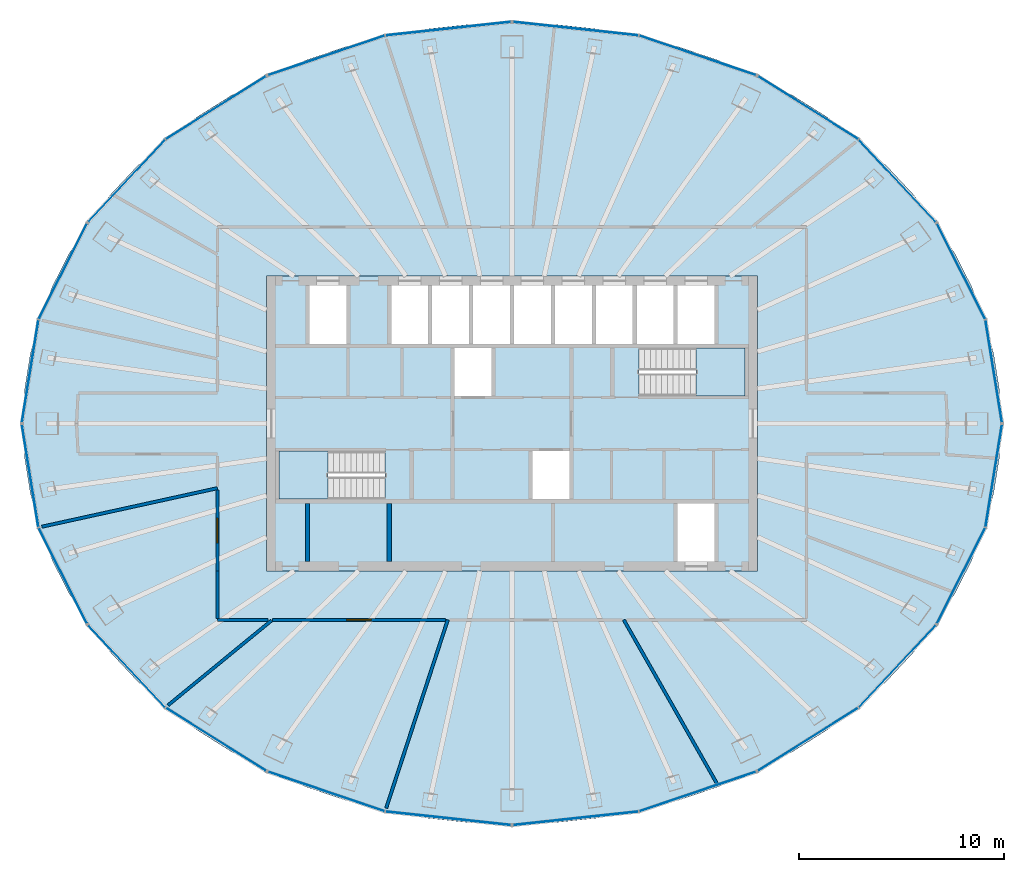
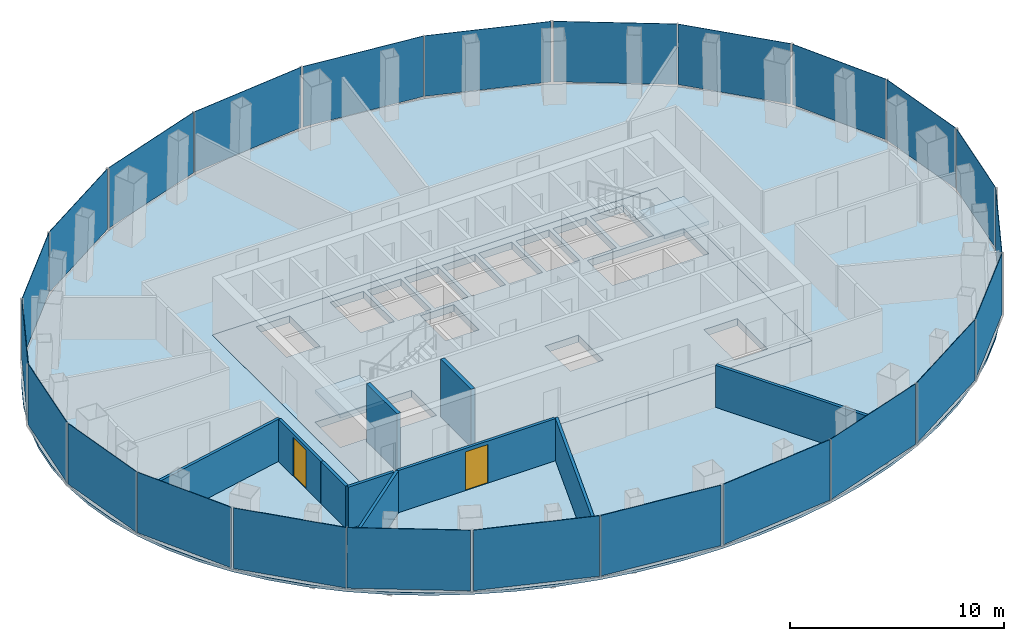
# One storey, part 6 of 10: 24 plates, 10 walls, 4 slabs, 2 doors, 2 openings, 14 elements without a shape of their own.
"""IFC4 building model written with IfcOpenShell, lengths in metres."""

from ifc_helpers import new_model, si_unit, direction, frame, frame_2d, origin, origin_2d, place, context, subcontext, project, spatial, polyline, rectangle, outline, extrude, material, layer, layer_set, type_object, element, fill, aggregate, save


model = new_model("IFC4")

# Units and contexts
model_context = context("Model", 3, precision=1e-05, world=origin(), true_north=direction((0.0, 1.0)))
body_context = subcontext(model_context, "Body", "Model", "MODEL_VIEW")
ifc_project = project(units=[si_unit("LENGTHUNIT", "METRE"), si_unit("AREAUNIT", "SQUARE_METRE"), si_unit("VOLUMEUNIT", "CUBIC_METRE"), si_unit("PLANEANGLEUNIT", "RADIAN"), si_unit("MASSUNIT", "GRAM", prefix="KILO")], contexts=[model_context])

# Site, building, storey
site_placement = place(None, origin())
site = spatial("IfcSite", under=ifc_project, at=site_placement, CompositionType="ELEMENT")
building_placement = place(site_placement, origin())
building = spatial("IfcBuilding", under=site, at=building_placement, Name="Siaravel Broadcast Tower", CompositionType="ELEMENT")
storey_placement = place(building_placement, frame((0.0, 0.0, 164.5)))
storey = spatial("IfcBuildingStorey", under=building, at=storey_placement, Name="L39", CompositionType="ELEMENT", Elevation=164.5)

# Curtain wall, plates
ifc_material_1 = material(Name="Aluminium 6063-T6", Category="aluminium")
ifc_layer_1 = layer(ifc_material_1, 0.179931640625)
ifc_layer_set_1 = layer_set([ifc_layer_1], Name="Aluminium 6063-T6")
curtain_wall_type = type_object("IfcCurtainWallType", Name="Unitised curtain wall, zone 3", PredefinedType="NOTDEFINED", material=ifc_layer_set_1)
curtain_wall_1_placement = place(storey_placement, origin())
curtain_wall_1 = element("IfcCurtainWall", 1, at=curtain_wall_1_placement, inside=storey, type_object=curtain_wall_type, Name="L39 Unitised curtain wall, zone 3 01", PredefinedType="NOTDEFINED")
ifc_material_2 = material(Name="Tinted insulated glass", Category="glass")
ifc_layer_2 = layer(ifc_material_2, 0.028076171875)
ifc_layer_set_2 = layer_set([ifc_layer_2], Name="Tinted insulated glass")
plate_type = type_object("IfcPlateType", Name="CW-Z3 glass panel", PredefinedType="CURTAIN_PANEL", material=ifc_layer_set_2)
plate_1_placement = place(storey_placement, frame((23.5517578125, 2.557373046875, 0.10009765625), z_axis=(0.0, 0.0, 1.0), x_axis=(-0.158685063, 0.987329251, 0.0)))
plate_1 = element("IfcPlate", 2, at=plate_1_placement, type_object=plate_type, Name="CW-Z3 glass panel", PredefinedType="CURTAIN_PANEL", context=body_context, shape_type="SweptSolid", body=[
    extrude(rectangle(XDim=5.060302734375, YDim=0.028076171875, at=origin_2d()), origin(), (0.0, 0.0, 1.0), 3.449951171875),
])
plate_2_placement = place(storey_placement, frame((21.95458984375, 7.4404296875, 0.10009765625), z_axis=(0.0, 0.0, 1.0), x_axis=(-0.451259864, 0.89239259, 0.0)))
plate_2 = element("IfcPlate", 3, at=plate_2_placement, type_object=plate_type, Name="CW-Z3 glass panel", PredefinedType="CURTAIN_PANEL", context=body_context, shape_type="SweptSolid", body=[
    extrude(rectangle(XDim=5.218505859375, YDim=0.028076171875, at=origin_2d()), origin(), (0.0, 0.0, 1.0), 3.449951171875),
])
aggregate(curtain_wall_1, [plate_1, plate_2])

curtain_wall_2_placement = place(storey_placement, origin())
curtain_wall_2 = element("IfcCurtainWall", 4, at=curtain_wall_2_placement, inside=storey, type_object=curtain_wall_type, Name="L39 Unitised curtain wall, zone 3 02", PredefinedType="NOTDEFINED")
plate_3_placement = place(storey_placement, frame((18.8349609375, 11.86669921875, 0.10009765625), z_axis=(0.0, 0.0, 1.0), x_axis=(-0.683654117, 0.729806172, 0.0)))
plate_3 = element("IfcPlate", 5, at=plate_3_placement, type_object=plate_type, Name="CW-Z3 glass panel", PredefinedType="CURTAIN_PANEL", context=body_context, shape_type="SweptSolid", body=[
    extrude(rectangle(XDim=5.482177734375, YDim=0.028076171875, at=origin_2d()), origin(), (0.0, 0.0, 1.0), 3.449951171875),
])
plate_4_placement = place(storey_placement, frame((14.471923828125, 15.440673828125, 0.10009765625), z_axis=(0.0, 0.0, 1.0), x_axis=(-0.846649928, 0.532150259, 0.0)))
plate_4 = element("IfcPlate", 6, at=plate_4_placement, type_object=plate_type, Name="CW-Z3 glass panel", PredefinedType="CURTAIN_PANEL", context=body_context, shape_type="SweptSolid", body=[
    extrude(rectangle(XDim=5.771728515625, YDim=0.028076171875, at=origin_2d()), origin(), (0.0, 0.0, 1.0), 3.449951171875),
])
aggregate(curtain_wall_2, [plate_3, plate_4])

curtain_wall_3_placement = place(storey_placement, origin())
curtain_wall_3 = element("IfcCurtainWall", 7, at=curtain_wall_3_placement, inside=storey, type_object=curtain_wall_type, Name="L39 Unitised curtain wall, zone 3 03", PredefinedType="NOTDEFINED")
plate_5_placement = place(storey_placement, frame((9.07470703125, 17.993408203125, 0.10009765625), z_axis=(0.0, 0.0, 1.0), x_axis=(-0.946976983, 0.321301405, 0.0)))
plate_5 = element("IfcPlate", 8, at=plate_5_placement, type_object=plate_type, Name="CW-Z3 glass panel", PredefinedType="CURTAIN_PANEL", context=body_context, shape_type="SweptSolid", body=[
    extrude(rectangle(XDim=6.011474609375, YDim=0.028076171875, at=origin_2d()), origin(), (0.0, 0.0, 1.0), 3.449951171875),
])
plate_6_placement = place(storey_placement, frame((3.11474609375, 19.301513671875, 0.10009765625), z_axis=(0.0, 0.0, 1.0), x_axis=(-0.99423556, 0.107217776, 0.0)))
plate_6 = element("IfcPlate", 9, at=plate_6_placement, type_object=plate_type, Name="CW-Z3 glass panel", PredefinedType="CURTAIN_PANEL", context=body_context, shape_type="SweptSolid", body=[
    extrude(rectangle(XDim=6.145751953125, YDim=0.028076171875, at=origin_2d()), origin(), (0.0, 0.0, 1.0), 3.449951171875),
])
aggregate(curtain_wall_3, [plate_5, plate_6])

curtain_wall_4_placement = place(storey_placement, origin())
curtain_wall_4 = element("IfcCurtainWall", 10, at=curtain_wall_4_placement, inside=storey, type_object=curtain_wall_type, Name="L39 Unitised curtain wall, zone 3 04", PredefinedType="NOTDEFINED")
plate_7_placement = place(storey_placement, frame((-3.11474609375, 19.301513671875, 0.10009765625), z_axis=(0.0, 0.0, 1.0), x_axis=(-0.99423556, -0.107217776, 0.0)))
plate_7 = element("IfcPlate", 11, at=plate_7_placement, type_object=plate_type, Name="CW-Z3 glass panel", PredefinedType="CURTAIN_PANEL", context=body_context, shape_type="SweptSolid", body=[
    extrude(rectangle(XDim=6.145751953125, YDim=0.028076171875, at=origin_2d()), origin(), (0.0, 0.0, 1.0), 3.449951171875),
])
plate_8_placement = place(storey_placement, frame((-9.07470703125, 17.993408203125, 0.10009765625), z_axis=(0.0, 0.0, 1.0), x_axis=(-0.946976983, -0.321301405, 0.0)))
plate_8 = element("IfcPlate", 12, at=plate_8_placement, type_object=plate_type, Name="CW-Z3 glass panel", PredefinedType="CURTAIN_PANEL", context=body_context, shape_type="SweptSolid", body=[
    extrude(rectangle(XDim=6.011474609375, YDim=0.028076171875, at=origin_2d()), origin(), (0.0, 0.0, 1.0), 3.449951171875),
])
aggregate(curtain_wall_4, [plate_7, plate_8])

curtain_wall_5_placement = place(storey_placement, origin())
curtain_wall_5 = element("IfcCurtainWall", 13, at=curtain_wall_5_placement, inside=storey, type_object=curtain_wall_type, Name="L39 Unitised curtain wall, zone 3 05", PredefinedType="NOTDEFINED")
plate_9_placement = place(storey_placement, frame((-14.471923828125, 15.440673828125, 0.10009765625), z_axis=(0.0, 0.0, 1.0), x_axis=(-0.846649928, -0.532150259, 0.0)))
plate_9 = element("IfcPlate", 14, at=plate_9_placement, type_object=plate_type, Name="CW-Z3 glass panel", PredefinedType="CURTAIN_PANEL", context=body_context, shape_type="SweptSolid", body=[
    extrude(rectangle(XDim=5.771728515625, YDim=0.028076171875, at=origin_2d()), origin(), (0.0, 0.0, 1.0), 3.449951171875),
])
plate_10_placement = place(storey_placement, frame((-18.8349609375, 11.86669921875, 0.10009765625), z_axis=(0.0, 0.0, 1.0), x_axis=(-0.683654117, -0.729806172, 0.0)))
plate_10 = element("IfcPlate", 15, at=plate_10_placement, type_object=plate_type, Name="CW-Z3 glass panel", PredefinedType="CURTAIN_PANEL", context=body_context, shape_type="SweptSolid", body=[
    extrude(rectangle(XDim=5.482177734375, YDim=0.028076171875, at=origin_2d()), origin(), (0.0, 0.0, 1.0), 3.449951171875),
])
aggregate(curtain_wall_5, [plate_9, plate_10])

curtain_wall_6_placement = place(storey_placement, origin())
curtain_wall_6 = element("IfcCurtainWall", 16, at=curtain_wall_6_placement, inside=storey, type_object=curtain_wall_type, Name="L39 Unitised curtain wall, zone 3 06", PredefinedType="NOTDEFINED")
plate_11_placement = place(storey_placement, frame((-21.95458984375, 7.4404296875, 0.10009765625), z_axis=(0.0, 0.0, 1.0), x_axis=(-0.451259864, -0.89239259, 0.0)))
plate_11 = element("IfcPlate", 17, at=plate_11_placement, type_object=plate_type, Name="CW-Z3 glass panel", PredefinedType="CURTAIN_PANEL", context=body_context, shape_type="SweptSolid", body=[
    extrude(rectangle(XDim=5.218505859375, YDim=0.028076171875, at=origin_2d()), origin(), (0.0, 0.0, 1.0), 3.449951171875),
])
plate_12_placement = place(storey_placement, frame((-23.5517578125, 2.557373046875, 0.10009765625), z_axis=(0.0, 0.0, 1.0), x_axis=(-0.158685063, -0.987329251, 0.0)))
plate_12 = element("IfcPlate", 18, at=plate_12_placement, type_object=plate_type, Name="CW-Z3 glass panel", PredefinedType="CURTAIN_PANEL", context=body_context, shape_type="SweptSolid", body=[
    extrude(rectangle(XDim=5.060302734375, YDim=0.028076171875, at=origin_2d()), origin(), (0.0, 0.0, 1.0), 3.449951171875),
])
aggregate(curtain_wall_6, [plate_11, plate_12])

curtain_wall_7_placement = place(storey_placement, origin())
curtain_wall_7 = element("IfcCurtainWall", 19, at=curtain_wall_7_placement, inside=storey, type_object=curtain_wall_type, Name="L39 Unitised curtain wall, zone 3 07", PredefinedType="NOTDEFINED")
plate_13_placement = place(storey_placement, frame((-23.5517578125, -2.557373046875, 0.10009765625), z_axis=(0.0, 0.0, 1.0), x_axis=(0.158685063, -0.987329251, 0.0)))
plate_13 = element("IfcPlate", 20, at=plate_13_placement, type_object=plate_type, Name="CW-Z3 glass panel", PredefinedType="CURTAIN_PANEL", context=body_context, shape_type="SweptSolid", body=[
    extrude(rectangle(XDim=5.060302734375, YDim=0.028076171875, at=origin_2d()), origin(), (0.0, 0.0, 1.0), 3.449951171875),
])
plate_14_placement = place(storey_placement, frame((-21.95458984375, -7.4404296875, 0.10009765625), z_axis=(0.0, 0.0, 1.0), x_axis=(0.451259864, -0.89239259, 0.0)))
plate_14 = element("IfcPlate", 21, at=plate_14_placement, type_object=plate_type, Name="CW-Z3 glass panel", PredefinedType="CURTAIN_PANEL", context=body_context, shape_type="SweptSolid", body=[
    extrude(rectangle(XDim=5.218505859375, YDim=0.028076171875, at=origin_2d()), origin(), (0.0, 0.0, 1.0), 3.449951171875),
])
aggregate(curtain_wall_7, [plate_13, plate_14])

curtain_wall_8_placement = place(storey_placement, origin())
curtain_wall_8 = element("IfcCurtainWall", 22, at=curtain_wall_8_placement, inside=storey, type_object=curtain_wall_type, Name="L39 Unitised curtain wall, zone 3 08", PredefinedType="NOTDEFINED")
plate_15_placement = place(storey_placement, frame((-18.8349609375, -11.86669921875, 0.10009765625), z_axis=(0.0, 0.0, 1.0), x_axis=(0.683654117, -0.729806172, 0.0)))
plate_15 = element("IfcPlate", 23, at=plate_15_placement, type_object=plate_type, Name="CW-Z3 glass panel", PredefinedType="CURTAIN_PANEL", context=body_context, shape_type="SweptSolid", body=[
    extrude(rectangle(XDim=5.482177734375, YDim=0.028076171875, at=origin_2d()), origin(), (0.0, 0.0, 1.0), 3.449951171875),
])
plate_16_placement = place(storey_placement, frame((-14.471923828125, -15.440673828125, 0.10009765625), z_axis=(0.0, 0.0, 1.0), x_axis=(0.846649928, -0.532150259, 0.0)))
plate_16 = element("IfcPlate", 24, at=plate_16_placement, type_object=plate_type, Name="CW-Z3 glass panel", PredefinedType="CURTAIN_PANEL", context=body_context, shape_type="SweptSolid", body=[
    extrude(rectangle(XDim=5.771728515625, YDim=0.028076171875, at=origin_2d()), origin(), (0.0, 0.0, 1.0), 3.449951171875),
])
aggregate(curtain_wall_8, [plate_15, plate_16])

curtain_wall_9_placement = place(storey_placement, origin())
curtain_wall_9 = element("IfcCurtainWall", 25, at=curtain_wall_9_placement, inside=storey, type_object=curtain_wall_type, Name="L39 Unitised curtain wall, zone 3 09", PredefinedType="NOTDEFINED")
plate_17_placement = place(storey_placement, frame((-9.07470703125, -17.993408203125, 0.10009765625), z_axis=(0.0, 0.0, 1.0), x_axis=(0.946976983, -0.321301405, 0.0)))
plate_17 = element("IfcPlate", 26, at=plate_17_placement, type_object=plate_type, Name="CW-Z3 glass panel", PredefinedType="CURTAIN_PANEL", context=body_context, shape_type="SweptSolid", body=[
    extrude(rectangle(XDim=6.011474609375, YDim=0.028076171875, at=origin_2d()), origin(), (0.0, 0.0, 1.0), 3.449951171875),
])
plate_18_placement = place(storey_placement, frame((-3.11474609375, -19.301513671875, 0.10009765625), z_axis=(0.0, 0.0, 1.0), x_axis=(0.99423556, -0.107217776, 0.0)))
plate_18 = element("IfcPlate", 27, at=plate_18_placement, type_object=plate_type, Name="CW-Z3 glass panel", PredefinedType="CURTAIN_PANEL", context=body_context, shape_type="SweptSolid", body=[
    extrude(rectangle(XDim=6.145751953125, YDim=0.028076171875, at=origin_2d()), origin(), (0.0, 0.0, 1.0), 3.449951171875),
])
aggregate(curtain_wall_9, [plate_17, plate_18])

curtain_wall_10_placement = place(storey_placement, origin())
curtain_wall_10 = element("IfcCurtainWall", 28, at=curtain_wall_10_placement, inside=storey, type_object=curtain_wall_type, Name="L39 Unitised curtain wall, zone 3 10", PredefinedType="NOTDEFINED")
plate_19_placement = place(storey_placement, frame((3.11474609375, -19.301513671875, 0.10009765625), z_axis=(0.0, 0.0, 1.0), x_axis=(0.99423556, 0.107217776, 0.0)))
plate_19 = element("IfcPlate", 29, at=plate_19_placement, type_object=plate_type, Name="CW-Z3 glass panel", PredefinedType="CURTAIN_PANEL", context=body_context, shape_type="SweptSolid", body=[
    extrude(rectangle(XDim=6.145751953125, YDim=0.028076171875, at=origin_2d()), origin(), (0.0, 0.0, 1.0), 3.449951171875),
])
plate_20_placement = place(storey_placement, frame((9.07470703125, -17.993408203125, 0.10009765625), z_axis=(0.0, 0.0, 1.0), x_axis=(0.946976983, 0.321301405, 0.0)))
plate_20 = element("IfcPlate", 30, at=plate_20_placement, type_object=plate_type, Name="CW-Z3 glass panel", PredefinedType="CURTAIN_PANEL", context=body_context, shape_type="SweptSolid", body=[
    extrude(rectangle(XDim=6.011474609375, YDim=0.028076171875, at=origin_2d()), origin(), (0.0, 0.0, 1.0), 3.449951171875),
])
aggregate(curtain_wall_10, [plate_19, plate_20])

curtain_wall_11_placement = place(storey_placement, origin())
curtain_wall_11 = element("IfcCurtainWall", 31, at=curtain_wall_11_placement, inside=storey, type_object=curtain_wall_type, Name="L39 Unitised curtain wall, zone 3 11", PredefinedType="NOTDEFINED")
plate_21_placement = place(storey_placement, frame((14.471923828125, -15.440673828125, 0.10009765625), z_axis=(0.0, 0.0, 1.0), x_axis=(0.846649928, 0.532150259, 0.0)))
plate_21 = element("IfcPlate", 32, at=plate_21_placement, type_object=plate_type, Name="CW-Z3 glass panel", PredefinedType="CURTAIN_PANEL", context=body_context, shape_type="SweptSolid", body=[
    extrude(rectangle(XDim=5.771728515625, YDim=0.028076171875, at=origin_2d()), origin(), (0.0, 0.0, 1.0), 3.449951171875),
])
plate_22_placement = place(storey_placement, frame((18.8349609375, -11.86669921875, 0.10009765625), z_axis=(0.0, 0.0, 1.0), x_axis=(0.683654117, 0.729806172, 0.0)))
plate_22 = element("IfcPlate", 33, at=plate_22_placement, type_object=plate_type, Name="CW-Z3 glass panel", PredefinedType="CURTAIN_PANEL", context=body_context, shape_type="SweptSolid", body=[
    extrude(rectangle(XDim=5.482177734375, YDim=0.028076171875, at=origin_2d()), origin(), (0.0, 0.0, 1.0), 3.449951171875),
])
aggregate(curtain_wall_11, [plate_21, plate_22])

curtain_wall_12_placement = place(storey_placement, origin())
curtain_wall_12 = element("IfcCurtainWall", 34, at=curtain_wall_12_placement, inside=storey, type_object=curtain_wall_type, Name="L39 Unitised curtain wall, zone 3 12", PredefinedType="NOTDEFINED")
plate_23_placement = place(storey_placement, frame((21.95458984375, -7.4404296875, 0.10009765625), z_axis=(0.0, 0.0, 1.0), x_axis=(0.451259864, 0.89239259, 0.0)))
plate_23 = element("IfcPlate", 35, at=plate_23_placement, type_object=plate_type, Name="CW-Z3 glass panel", PredefinedType="CURTAIN_PANEL", context=body_context, shape_type="SweptSolid", body=[
    extrude(rectangle(XDim=5.218505859375, YDim=0.028076171875, at=origin_2d()), origin(), (0.0, 0.0, 1.0), 3.449951171875),
])
plate_24_placement = place(storey_placement, frame((23.5517578125, -2.557373046875, 0.10009765625), z_axis=(0.0, 0.0, 1.0), x_axis=(0.158685063, 0.987329251, 0.0)))
plate_24 = element("IfcPlate", 36, at=plate_24_placement, type_object=plate_type, Name="CW-Z3 glass panel", PredefinedType="CURTAIN_PANEL", context=body_context, shape_type="SweptSolid", body=[
    extrude(rectangle(XDim=5.060302734375, YDim=0.028076171875, at=origin_2d()), origin(), (0.0, 0.0, 1.0), 3.449951171875),
])
aggregate(curtain_wall_12, [plate_23, plate_24])

# Slabs
ifc_material_3 = material(Name="Concrete C40/50", Category="concrete")
ifc_layer_3 = layer(ifc_material_3, 0.39990234375)
ifc_layer_set_3 = layer_set([ifc_layer_3], Name="Concrete C40/50")
slab_type_1 = type_object("IfcSlabType", Name="Core floor slab 400", PredefinedType="FLOOR", material=ifc_layer_set_3)
slab_1_placement = place(storey_placement, frame((0.0, 0.0, -0.39990234375)))
element("IfcSlab", 37, at=slab_1_placement, inside=storey, type_object=slab_type_1, Name="L39 core floor", PredefinedType="FLOOR", context=body_context, shape_type="SweptSolid", body=[
    extrude(outline(polyline([(-12.0, -7.199951171875), (-12.0, 7.199951171875), (12.0, 7.199951171875), (12.0, -7.199951171875), (-12.0, -7.199951171875)]), holes=[polyline([(11.3994140625, 1.3505859375), (11.3994140625, 3.699462890625), (6.200439453125, 3.699462890625), (6.200439453125, 1.3505859375), (11.3994140625, 1.3505859375)]), polyline([(8.10009765625, -3.89990234375), (8.10009765625, -6.75), (9.89990234375, -6.75), (9.89990234375, -3.89990234375), (8.10009765625, -3.89990234375)]), polyline([(9.89990234375, 6.75), (8.10009765625, 6.75), (8.10009765625, 3.89990234375), (9.89990234375, 3.89990234375), (9.89990234375, 6.75)]), polyline([(7.89990234375, 6.75), (6.10009765625, 6.75), (6.10009765625, 3.89990234375), (7.89990234375, 3.89990234375), (7.89990234375, 6.75)]), polyline([(5.89990234375, 6.75), (4.10009765625, 6.75), (4.10009765625, 3.89990234375), (5.89990234375, 3.89990234375), (5.89990234375, 6.75)]), polyline([(3.89990234375, 6.75), (2.10009765625, 6.75), (2.10009765625, 3.89990234375), (3.89990234375, 3.89990234375), (3.89990234375, 6.75)]), polyline([(2.800048828125, -1.35009765625), (1.0, -1.35009765625), (1.0, -3.699951171875), (2.800048828125, -3.699951171875), (2.800048828125, -1.35009765625)]), polyline([(1.89990234375, 6.75), (0.10009765625, 6.75), (0.10009765625, 3.89990234375), (1.89990234375, 3.89990234375), (1.89990234375, 6.75)]), polyline([(-0.10009765625, 6.75), (-1.89990234375, 6.75), (-1.89990234375, 3.89990234375), (-0.10009765625, 3.89990234375), (-0.10009765625, 6.75)]), polyline([(-1.0, 3.699951171875), (-2.800048828125, 3.699951171875), (-2.800048828125, 1.35009765625), (-1.0, 1.35009765625), (-1.0, 3.699951171875)]), polyline([(-2.10009765625, 6.75), (-3.89990234375, 6.75), (-3.89990234375, 3.89990234375), (-2.10009765625, 3.89990234375), (-2.10009765625, 6.75)]), polyline([(-4.10009765625, 6.75), (-5.89990234375, 6.75), (-5.89990234375, 3.89990234375), (-4.10009765625, 3.89990234375), (-4.10009765625, 6.75)]), polyline([(-11.3994140625, -3.699462890625), (-6.200439453125, -3.699462890625), (-6.200439453125, -1.3505859375), (-11.3994140625, -1.3505859375), (-11.3994140625, -3.699462890625)]), polyline([(-8.10009765625, 6.75), (-9.89990234375, 6.75), (-9.89990234375, 3.89990234375), (-8.10009765625, 3.89990234375), (-8.10009765625, 6.75)])]), origin(), (0.0, 0.0, 1.0), 0.39990234375),
])
ifc_layer_4 = layer(ifc_material_3, 0.14990234375)
ifc_layer_set_4 = layer_set([ifc_layer_4], Name="Concrete C40/50")
slab_type_2 = type_object("IfcSlabType", Name="SLB-FLOOR-150", PredefinedType="FLOOR", material=ifc_layer_set_4)
slab_2_placement = place(storey_placement, frame((0.0, 0.0, -0.14990234375)))
element("IfcSlab", 38, at=slab_2_placement, inside=storey, type_object=slab_type_2, Name="Floor slab", PredefinedType="FLOOR", context=body_context, shape_type="SweptSolid", body=[
    extrude(outline(polyline([(23.912841796875, 0.0), (23.82177734375, 1.70703125), (23.549560546875, 3.4013671875), (23.097900390625, 5.069580078125), (22.470703125, 6.69921875), (21.67236328125, 8.278076171875), (20.708984375, 9.793701171875), (19.588134765625, 11.23486328125), (18.318359375, 12.590576171875), (16.908935546875, 13.850341796875), (15.370849609375, 15.004638671875), (13.7158203125, 16.044921875), (11.956298828125, 16.963134765625), (10.10595703125, 17.752197265625), (8.1787109375, 18.406005859375), (6.189208984375, 18.919921875), (4.15234375, 19.289794921875), (2.083984375, 19.5126953125), (0.0, 19.58740234375), (-2.083984375, 19.5126953125), (-4.15234375, 19.289794921875), (-6.189208984375, 18.919921875), (-8.1787109375, 18.406005859375), (-10.10595703125, 17.752197265625), (-11.956298828125, 16.963134765625), (-13.7158203125, 16.044921875), (-15.370849609375, 15.004638671875), (-16.908935546875, 13.850341796875), (-18.318359375, 12.590576171875), (-19.588134765625, 11.23486328125), (-20.708984375, 9.793701171875), (-21.67236328125, 8.278076171875), (-22.470703125, 6.69921875), (-23.097900390625, 5.069580078125), (-23.549560546875, 3.4013671875), (-23.82177734375, 1.70703125), (-23.912841796875, 0.0), (-23.82177734375, -1.70703125), (-23.549560546875, -3.4013671875), (-23.097900390625, -5.069580078125), (-22.470703125, -6.69921875), (-21.67236328125, -8.278076171875), (-20.708984375, -9.793701171875), (-19.588134765625, -11.23486328125), (-18.318359375, -12.590576171875), (-16.908935546875, -13.850341796875), (-15.370849609375, -15.004638671875), (-13.7158203125, -16.044921875), (-11.956298828125, -16.963134765625), (-10.10595703125, -17.752197265625), (-8.1787109375, -18.406005859375), (-6.189208984375, -18.919921875), (-4.15234375, -19.289794921875), (-2.083984375, -19.5126953125), (0.0, -19.58740234375), (2.083984375, -19.5126953125), (4.15234375, -19.289794921875), (6.189208984375, -18.919921875), (8.1787109375, -18.406005859375), (10.10595703125, -17.752197265625), (11.956298828125, -16.963134765625), (13.7158203125, -16.044921875), (15.370849609375, -15.004638671875), (16.908935546875, -13.850341796875), (18.318359375, -12.590576171875), (19.588134765625, -11.23486328125), (20.708984375, -9.793701171875), (21.67236328125, -8.278076171875), (22.470703125, -6.69921875), (23.097900390625, -5.069580078125), (23.549560546875, -3.4013671875), (23.82177734375, -1.70703125), (23.912841796875, 0.0)]), holes=[polyline([(-12.0, 7.199951171875), (12.0, 7.199951171875), (12.0, -7.199951171875), (-12.0, -7.199951171875), (-12.0, 7.199951171875)])]), origin(), (0.0, 0.0, 1.0), 0.14990234375),
])

# Stair, slab
stair_type = type_object("IfcStairType", Name="Core exit stair", PredefinedType="HALF_TURN_STAIR", material=ifc_material_3)
stair_1_placement = place(storey_placement, origin())
stair_1 = element("IfcStair", 39, at=stair_1_placement, inside=storey, type_object=stair_type, Name="L39 Exit stair ST-1", PredefinedType="HALF_TURN_STAIR")
ifc_layer_5 = layer(ifc_material_3, 0.199951171875)
ifc_layer_set_5 = layer_set([ifc_layer_5], Name="Concrete C40/50")
slab_type_3 = type_object("IfcSlabType", Name="Stair landing", PredefinedType="LANDING", material=ifc_layer_set_5)
slab_3_placement = place(storey_placement, frame((0.0, 0.0, 1.64990234375)))
slab_3 = element("IfcSlab", 40, at=slab_3_placement, type_object=slab_type_3, Name="ST-1 landing 1", PredefinedType="LANDING", context=body_context, shape_type="SweptSolid", body=[
    extrude(outline(polyline([(-9.0, -1.35009765625), (-11.39990234375, -1.35009765625), (-11.39990234375, -3.699951171875), (-9.0, -3.699951171875), (-9.0, -1.35009765625)])), origin(), (0.0, 0.0, 1.0), 0.2001953125),
])
aggregate(stair_1, [slab_3])

stair_2_placement = place(storey_placement, origin())
stair_2 = element("IfcStair", 41, at=stair_2_placement, inside=storey, type_object=stair_type, Name="L39 Exit stair ST-2", PredefinedType="HALF_TURN_STAIR")
slab_4_placement = place(storey_placement, frame((0.0, 0.0, 1.64990234375)))
slab_4 = element("IfcSlab", 42, at=slab_4_placement, type_object=slab_type_3, Name="ST-2 landing 1", PredefinedType="LANDING", context=body_context, shape_type="SweptSolid", body=[
    extrude(outline(polyline([(9.0, 1.35009765625), (11.39990234375, 1.35009765625), (11.39990234375, 3.699951171875), (9.0, 3.699951171875), (9.0, 1.35009765625)])), origin(), (0.0, 0.0, 1.0), 0.2001953125),
])
aggregate(stair_2, [slab_4])

# Wall
ifc_material_4 = material(Name="Concrete blockwork", Category="masonry")
ifc_layer_6 = layer(ifc_material_4, 0.199951171875)
ifc_layer_set_6 = layer_set([ifc_layer_6], Name="Concrete blockwork")
wall_type_1 = type_object("IfcWallType", Name="Core partition 200", PredefinedType="PARTITIONING", material=ifc_layer_set_6)
wall_1_placement = place(storey_placement, frame((-6.0, -6.75, 0.0), z_axis=(0.0, 0.0, 1.0), x_axis=(0.0, 1.0, 0.0)))
element("IfcWall", 43, at=wall_1_placement, inside=storey, type_object=wall_type_1, Name="L39 core partition PFS0", PredefinedType="PARTITIONING", context=body_context, shape_type="SweptSolid", body=[
    extrude(rectangle(XDim=2.85009765625, YDim=0.199951171875, at=frame_2d((1.425048828125, 0.0))), origin(), (0.0, 0.0, 1.0), 3.300048828125),
])

# Wall, opening, door
ifc_material_5 = material(Name="Gypsum board partition", Category="gypsum")
ifc_layer_7 = layer(ifc_material_5, 0.14990234375)
ifc_layer_set_7 = layer_set([ifc_layer_7], Name="Gypsum board partition")
wall_type_2 = type_object("IfcWallType", Name="Corridor wall 150", PredefinedType="PARTITIONING", material=ifc_layer_set_7)
wall_2_placement = place(storey_placement, frame((-11.719970703125, -9.60009765625, 0.0), z_axis=(0.0, 0.0, 1.0), x_axis=(1.0, 0.0, 0.0)))
wall_2 = element("IfcWall", 44, at=wall_2_placement, inside=storey, type_object=wall_type_2, Name="L39 partition 11", PredefinedType="PARTITIONING", context=body_context, shape_type="SweptSolid", body=[
    extrude(rectangle(XDim=8.47412109375, YDim=0.14990234375, at=frame_2d((4.237060546875, 0.0))), origin(), (0.0, 0.0, 1.0), 2.39990234375),
])
opening_1_placement = place(wall_2_placement, frame((3.63720703125, 0.0, 0.0)))
opening_1 = element("IfcOpeningElement", 45, at=opening_1_placement, cuts=wall_2, Name="Opening L39-008", PredefinedType="OPENING", context=body_context, shape_type="SweptSolid", body=[
    extrude(rectangle(XDim=1.199951171875, YDim=2.199951171875, at=frame_2d((0.60009765625, 1.10009765625))), frame((0.0, 0.0849609375, 0.0), z_axis=(0.0, -1.0, 0.0), x_axis=(1.0, 0.0, 0.0)), (0.0, 0.0, 1.0), 0.169921875),
])
ifc_material_6 = material(Name="Timber veneer", Category="wood")
door_type = type_object("IfcDoorType", Name="Office double door 1200", OperationType="DOUBLE_DOOR_SINGLE_SWING", PredefinedType="DOOR", material=ifc_material_6)
door_1_placement = place(opening_1_placement, origin())
door_1 = element("IfcDoor", 46, at=door_1_placement, inside=storey, type_object=door_type, Name="L39 door to Open plan office", OperationType="DOUBLE_DOOR_SINGLE_SWING", OverallHeight=2.199951171875, OverallWidth=1.199951171875, PredefinedType="DOOR", context=body_context, shape_type="SweptSolid", body=[
    extrude(rectangle(XDim=1.199951171875, YDim=2.199951171875, at=frame_2d((0.60009765625, 1.10009765625))), frame((0.0, 0.02490234375, 0.0), z_axis=(0.0, -1.0, 0.0), x_axis=(1.0, 0.0, 0.0)), (0.0, 0.0, 1.0), 0.050048828125),
])
fill(opening_1, door_1)

wall_3_placement = place(storey_placement, frame((-14.39990234375, -3.255859375, 0.0), z_axis=(0.0, 0.0, 1.0), x_axis=(0.0, -1.0, 0.0)))
wall_3 = element("IfcWall", 47, at=wall_3_placement, inside=storey, type_object=wall_type_2, Name="L39 partition 22", PredefinedType="PARTITIONING", context=body_context, shape_type="SweptSolid", body=[
    extrude(rectangle(XDim=3.9560546875, YDim=0.14990234375, at=frame_2d((1.97802734375, 0.0))), origin(), (0.0, 0.0, 1.0), 2.39990234375),
])
opening_2_placement = place(wall_3_placement, frame((1.378173828125, 0.0, 0.0)))
opening_2 = element("IfcOpeningElement", 48, at=opening_2_placement, cuts=wall_3, Name="Opening L39-007", PredefinedType="OPENING", context=body_context, shape_type="SweptSolid", body=[
    extrude(rectangle(XDim=1.199951171875, YDim=2.199951171875, at=frame_2d((0.60009765625, 1.10009765625))), frame((0.0, 0.0849609375, 0.0), z_axis=(0.0, -1.0, 0.0), x_axis=(1.0, 0.0, 0.0)), (0.0, 0.0, 1.0), 0.169921875),
])
door_2_placement = place(opening_2_placement, origin())
door_2 = element("IfcDoor", 49, at=door_2_placement, inside=storey, type_object=door_type, Name="L39 door to Open plan office", OperationType="DOUBLE_DOOR_SINGLE_SWING", OverallHeight=2.199951171875, OverallWidth=1.199951171875, PredefinedType="DOOR", context=body_context, shape_type="SweptSolid", body=[
    extrude(rectangle(XDim=1.199951171875, YDim=2.199951171875, at=frame_2d((0.60009765625, 1.10009765625))), frame((0.0, 0.02490234375, 0.0), z_axis=(0.0, -1.0, 0.0), x_axis=(1.0, 0.0, 0.0)), (0.0, 0.0, 1.0), 0.050048828125),
])
fill(opening_2, door_2)

# Walls
wall_4_placement = place(storey_placement, frame((-14.39990234375, -9.60009765625, 0.0), z_axis=(0.0, 0.0, 1.0), x_axis=(1.0, 0.0, 0.0)))
element("IfcWall", 50, at=wall_4_placement, inside=storey, type_object=wall_type_2, Name="L39 partition 25", PredefinedType="PARTITIONING", context=body_context, shape_type="SweptSolid", body=[
    extrude(rectangle(XDim=2.468017578125, YDim=0.14990234375, at=frame_2d((1.23388671875, 0.0))), origin(), (0.0, 0.0, 1.0), 2.39990234375),
])
wall_5_placement = place(storey_placement, frame((-14.39990234375, -7.212890625, 0.0), z_axis=(0.0, 0.0, 1.0), x_axis=(0.0, -1.0, 0.0)))
element("IfcWall", 51, at=wall_5_placement, inside=storey, type_object=wall_type_2, Name="L39 partition 29", PredefinedType="PARTITIONING", context=body_context, shape_type="SweptSolid", body=[
    extrude(rectangle(XDim=2.31005859375, YDim=0.14990234375, at=frame_2d((1.155029296875, 0.0))), origin(), (0.0, 0.0, 1.0), 2.39990234375),
])
ifc_layer_8 = layer(ifc_material_5, 0.14990234375)
ifc_layer_set_8 = layer_set([ifc_layer_8], Name="Gypsum board partition")
wall_type_3 = type_object("IfcWallType", Name="Room partition 150", PredefinedType="PARTITIONING", material=ifc_layer_set_8)
wall_6_placement = place(storey_placement, frame((-6.151611328125, -18.804931640625, 0.0), z_axis=(0.0, 0.0, 1.0), x_axis=(0.310921484, 0.950435601, 0.0)))
element("IfcWall", 52, at=wall_6_placement, inside=storey, type_object=wall_type_3, Name="L39 partition 4", PredefinedType="PARTITIONING", context=body_context, shape_type="SweptSolid", body=[
    extrude(rectangle(XDim=9.684814453125, YDim=0.14990234375, at=frame_2d((4.84228515625, 0.0))), origin(), (0.0, 0.0, 1.0), 2.39990234375),
])
wall_7_placement = place(storey_placement, frame((10.045654296875, -17.64599609375, 0.0), z_axis=(0.0, 0.0, 1.0), x_axis=(-0.494746797, 0.869037173, 0.0)))
element("IfcWall", 53, at=wall_7_placement, inside=storey, type_object=wall_type_3, Name="L39 partition 6", PredefinedType="PARTITIONING", context=body_context, shape_type="SweptSolid", body=[
    extrude(rectangle(XDim=9.25830078125, YDim=0.14990234375, at=frame_2d((4.629150390625, 0.0))), origin(), (0.0, 0.0, 1.0), 2.39990234375),
])
wall_8_placement = place(storey_placement, frame((-22.9794921875, -5.043701171875, 0.0), z_axis=(0.0, 0.0, 1.0), x_axis=(0.976744911, 0.214404708, 0.0)))
element("IfcWall", 54, at=wall_8_placement, inside=storey, type_object=wall_type_3, Name="L39 partition 9", PredefinedType="PARTITIONING", context=body_context, shape_type="SweptSolid", body=[
    extrude(rectangle(XDim=8.783935546875, YDim=0.14990234375, at=frame_2d((4.39208984375, 0.0))), origin(), (0.0, 0.0, 1.0), 2.39990234375),
])
wall_9_placement = place(storey_placement, frame((-16.8134765625, -13.772216796875, 0.0), z_axis=(0.0, 0.0, 1.0), x_axis=(0.773595956, 0.633679175, 0.0)))
element("IfcWall", 55, at=wall_9_placement, inside=storey, type_object=wall_type_3, Name="L39 partition 16", PredefinedType="PARTITIONING", context=body_context, shape_type="SweptSolid", body=[
    extrude(rectangle(XDim=6.53466796875, YDim=0.14990234375, at=frame_2d((3.267333984375, 0.0))), origin(), (0.0, 0.0, 1.0), 2.39990234375),
])
ifc_material_7 = material(Name="Concrete C60/75", Category="concrete")
ifc_layer_9 = layer(ifc_material_7, 0.199951171875)
ifc_layer_set_9 = layer_set([ifc_layer_9], Name="Concrete C60/75")
wall_type_4 = type_object("IfcWallType", Name="Shaft wall 200", PredefinedType="SHEAR", material=ifc_layer_set_9)
wall_10_placement = place(storey_placement, frame((-10.0, -6.75, 0.0), z_axis=(0.0, 0.0, 1.0), x_axis=(0.0, 1.0, 0.0)))
element("IfcWall", 56, at=wall_10_placement, inside=storey, type_object=wall_type_4, Name="L39 core wall SWS0", PredefinedType="SHEAR", context=body_context, shape_type="SweptSolid", body=[
    extrude(rectangle(XDim=2.85009765625, YDim=0.199951171875, at=frame_2d((1.425048828125, 0.0))), origin(), (0.0, 0.0, 1.0), 3.300048828125),
])

save(model, "model.ifc")
